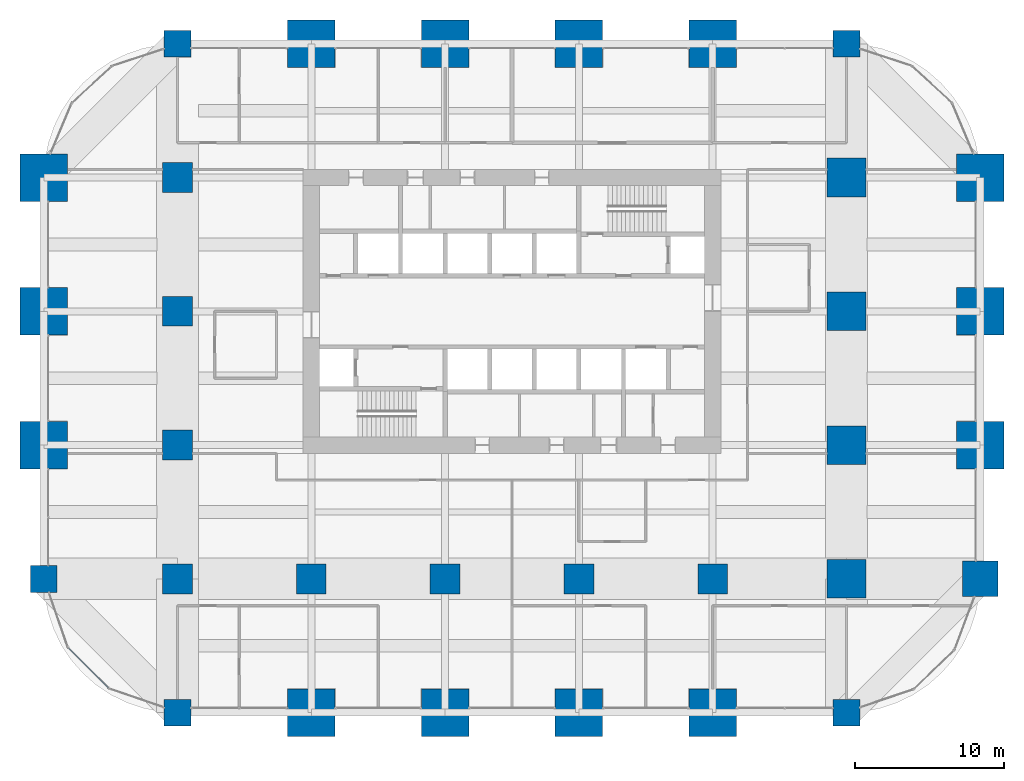
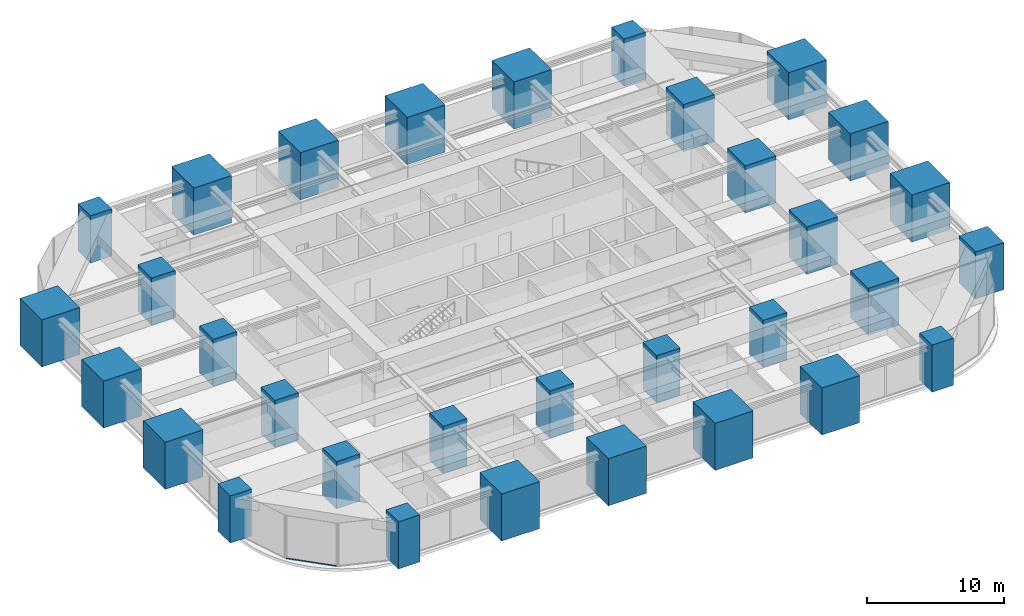
# One storey, part 1 of 45: 32 columns, 1 member, 1 element without a shape of its own.
"""IFC4 building model written with IfcOpenShell, lengths in metres."""

from ifc_helpers import new_model, si_unit, direction, frame, origin, origin_2d, place, context, subcontext, project, spatial, rectangle, hollow_rectangle, extrude, material, material_profile, profile_set, type_object, element, aggregate, save


model = new_model("IFC4")

# Units and contexts
model_context = context("Model", 3, precision=1e-05, world=origin(), true_north=direction((0.0, 1.0)))
body_context = subcontext(model_context, "Body", "Model", "MODEL_VIEW")
ifc_project = project(units=[si_unit("LENGTHUNIT", "METRE"), si_unit("AREAUNIT", "SQUARE_METRE"), si_unit("VOLUMEUNIT", "CUBIC_METRE"), si_unit("PLANEANGLEUNIT", "RADIAN"), si_unit("MASSUNIT", "GRAM", prefix="KILO")], contexts=[model_context])

# Site, building, storey
site_placement = place(None, origin())
site = spatial("IfcSite", under=ifc_project, at=site_placement, CompositionType="ELEMENT")
building_placement = place(site_placement, origin())
building = spatial("IfcBuilding", under=site, at=building_placement, Name="Zorevar Civic Tower", CompositionType="ELEMENT")
storey_placement = place(building_placement, frame((0.0, 0.0, 153.0)))
storey = spatial("IfcBuildingStorey", under=building, at=storey_placement, Name="L37", CompositionType="ELEMENT", Elevation=153.0)

# Columns
ifc_material_1 = material(Name="Concrete C50/60", Category="concrete")
ifc_material_profile_1 = material_profile(ifc_material_1, rectangle(XDim=1.800048828125, YDim=1.800048828125, at=origin_2d()), Name="RC 1800x1800")
ifc_profile_set_1 = profile_set([ifc_material_profile_1], Name="Concrete C50/60")
column_type_1 = type_object("IfcColumnType", Name="Column RC 1800x1800", PredefinedType="COLUMN", material=ifc_profile_set_1)
for number, where, z_axis, x_axis, name in (
    (1, (0.0, 9.0, 0.0), (0.0, 0.0, 1.0), (1.0, 0.0, 0.0), "Column 2B L37"),
    (2, (9.0, 0.0, 0.0), (0.0, 0.0, 1.0), (1.0, 0.0, 0.0), "Column 3A L37"),
    (3, (9.0, 45.0, 0.0), (0.0, 0.0, 1.0), (1.0, 0.0, 0.0), "Column 3F L37"),
    (4, (54.0, 0.0, 0.0), (0.0, 0.0, 1.0), (1.0, 0.0, 0.0), "Column 8A L37"),
    (5, (54.0, 45.0, 0.0), (0.0, 0.0, 1.0), (1.0, 0.0, 0.0), "Column 8F L37"),
):
    element("IfcColumn", number, at=place(storey_placement, frame(where, z_axis=z_axis, x_axis=x_axis)), inside=storey, type_object=column_type_1, Name=name, PredefinedType="COLUMN", context=body_context, shape_type="SweptSolid", body=[
        extrude(rectangle(XDim=1.800048828125, YDim=1.800048828125, at=origin_2d()), origin(), (0.0, 0.0, 1.0), 4.199951171875),
    ])
ifc_material_2 = material(Name="Concrete C50/60", Category="concrete")
ifc_material_profile_2 = material_profile(ifc_material_2, rectangle(XDim=2.0, YDim=2.0, at=origin_2d()), Name="RC 2000x2000")
ifc_profile_set_2 = profile_set([ifc_material_profile_2], Name="Concrete C50/60")
column_type_2 = type_object("IfcColumnType", Name="Column RC 2000x2000", PredefinedType="COLUMN", material=ifc_profile_set_2)
for number, where, z_axis, x_axis, name in (
    (6, (9.0, 9.0, 0.0), (0.0, 0.0, 1.0), (1.0, 0.0, 0.0), "Column 3B L37"),
    (7, (9.0, 18.0, 0.0), (0.0, 0.0, 1.0), (1.0, 0.0, 0.0), "Column 3C L37"),
    (8, (9.0, 27.0, 0.0), (0.0, 0.0, 1.0), (1.0, 0.0, 0.0), "Column 3D L37"),
    (9, (9.0, 36.0, 0.0), (0.0, 0.0, 1.0), (1.0, 0.0, 0.0), "Column 3E L37"),
    (10, (18.0, 9.0, 0.0), (0.0, 0.0, 1.0), (1.0, 0.0, 0.0), "Column 4B L37"),
    (11, (27.0, 9.0, 0.0), (0.0, 0.0, 1.0), (1.0, 0.0, 0.0), "Column 5B L37"),
    (12, (36.0, 9.0, 0.0), (0.0, 0.0, 1.0), (1.0, 0.0, 0.0), "Column 6B L37"),
    (13, (45.0, 9.0, 0.0), (0.0, 0.0, 1.0), (1.0, 0.0, 0.0), "Column 7B L37"),
):
    element("IfcColumn", number, at=place(storey_placement, frame(where, z_axis=z_axis, x_axis=x_axis)), inside=storey, type_object=column_type_2, Name=name, PredefinedType="COLUMN", context=body_context, shape_type="SweptSolid", body=[
        extrude(rectangle(XDim=2.0, YDim=2.0, at=origin_2d()), origin(), (0.0, 0.0, 1.0), 4.199951171875),
    ])
ifc_material_3 = material(Name="Concrete C50/60", Category="concrete")
ifc_material_profile_3 = material_profile(ifc_material_3, rectangle(XDim=2.39990234375, YDim=2.39990234375, at=origin_2d()), Name="RC 2400x2400")
ifc_profile_set_3 = profile_set([ifc_material_profile_3], Name="Concrete C50/60")
column_type_3 = type_object("IfcColumnType", Name="Column RC 2400x2400", PredefinedType="COLUMN", material=ifc_profile_set_3)
column_placement = place(storey_placement, frame((63.0, 9.0, 0.0), z_axis=(0.0, 0.0, 1.0), x_axis=(1.0, 0.0, 0.0)))
element("IfcColumn", 14, at=column_placement, inside=storey, type_object=column_type_3, Name="Column 9B L37", PredefinedType="COLUMN", context=body_context, shape_type="SweptSolid", body=[
    extrude(rectangle(XDim=2.39990234375, YDim=2.39990234375, at=origin_2d()), origin(), (0.0, 0.0, 1.0), 4.199951171875),
])
ifc_material_4 = material(Name="Concrete C50/60", Category="concrete")
ifc_material_profile_4 = material_profile(ifc_material_4, rectangle(XDim=2.60009765625, YDim=2.60009765625, at=origin_2d()), Name="RC 2600x2600")
ifc_profile_set_4 = profile_set([ifc_material_profile_4], Name="Concrete C50/60")
column_type_4 = type_object("IfcColumnType", Name="Column RC 2600x2600", PredefinedType="COLUMN", material=ifc_profile_set_4)
for number, where, z_axis, x_axis, name in (
    (15, (54.0, 9.0, 0.0), (0.0, 0.0, 1.0), (1.0, 0.0, 0.0), "Column 8B L37"),
    (16, (54.0, 18.0, 0.0), (0.0, 0.0, 1.0), (1.0, 0.0, 0.0), "Column 8C L37"),
    (17, (54.0, 27.0, 0.0), (0.0, 0.0, 1.0), (1.0, 0.0, 0.0), "Column 8D L37"),
    (18, (54.0, 36.0, 0.0), (0.0, 0.0, 1.0), (1.0, 0.0, 0.0), "Column 8E L37"),
):
    element("IfcColumn", number, at=place(storey_placement, frame(where, z_axis=z_axis, x_axis=x_axis)), inside=storey, type_object=column_type_4, Name=name, PredefinedType="COLUMN", context=body_context, shape_type="SweptSolid", body=[
        extrude(rectangle(XDim=2.60009765625, YDim=2.60009765625, at=origin_2d()), origin(), (0.0, 0.0, 1.0), 4.199951171875),
    ])
ifc_material_5 = material(Name="Concrete C50/60", Category="concrete")
ifc_material_profile_5 = material_profile(ifc_material_5, rectangle(XDim=3.199951171875, YDim=3.199951171875, at=origin_2d()), Name="RC 3200x3200")
ifc_profile_set_5 = profile_set([ifc_material_profile_5], Name="Concrete C50/60")
column_type_5 = type_object("IfcColumnType", Name="Mega column RC 3200x3200", PredefinedType="COLUMN", material=ifc_profile_set_5)
for number, where, z_axis, x_axis, name in (
    (19, (0.0, 18.0, 0.0), (0.0, 0.0, 1.0), (1.0, 0.0, 0.0), "Column 2C L37"),
    (20, (0.0, 27.0, 0.0), (0.0, 0.0, 1.0), (1.0, 0.0, 0.0), "Column 2D L37"),
    (21, (0.0, 36.0, 0.0), (0.0, 0.0, 1.0), (1.0, 0.0, 0.0), "Column 2E L37"),
    (22, (18.0, 0.0, 0.0), (0.0, 0.0, 1.0), (1.0, 0.0, 0.0), "Column 4A L37"),
    (23, (18.0, 45.0, 0.0), (0.0, 0.0, 1.0), (1.0, 0.0, 0.0), "Column 4F L37"),
    (24, (27.0, 0.0, 0.0), (0.0, 0.0, 1.0), (1.0, 0.0, 0.0), "Column 5A L37"),
    (25, (27.0, 45.0, 0.0), (0.0, 0.0, 1.0), (1.0, 0.0, 0.0), "Column 5F L37"),
    (26, (36.0, 0.0, 0.0), (0.0, 0.0, 1.0), (1.0, 0.0, 0.0), "Column 6A L37"),
    (27, (36.0, 45.0, 0.0), (0.0, 0.0, 1.0), (1.0, 0.0, 0.0), "Column 6F L37"),
    (28, (45.0, 0.0, 0.0), (0.0, 0.0, 1.0), (1.0, 0.0, 0.0), "Column 7A L37"),
    (29, (45.0, 45.0, 0.0), (0.0, 0.0, 1.0), (1.0, 0.0, 0.0), "Column 7F L37"),
    (30, (63.0, 18.0, 0.0), (0.0, 0.0, 1.0), (1.0, 0.0, 0.0), "Column 9C L37"),
    (31, (63.0, 27.0, 0.0), (0.0, 0.0, 1.0), (1.0, 0.0, 0.0), "Column 9D L37"),
    (32, (63.0, 36.0, 0.0), (0.0, 0.0, 1.0), (1.0, 0.0, 0.0), "Column 9E L37"),
):
    element("IfcColumn", number, at=place(storey_placement, frame(where, z_axis=z_axis, x_axis=x_axis)), inside=storey, type_object=column_type_5, Name=name, PredefinedType="COLUMN", context=body_context, shape_type="SweptSolid", body=[
        extrude(rectangle(XDim=3.199951171875, YDim=3.199951171875, at=origin_2d()), origin(), (0.0, 0.0, 1.0), 4.199951171875),
    ])

# Curtain wall, member
ifc_material_6 = material(Name="Dark grey solar-control glass in black aluminium frame", Category="aluminium")
curtain_wall_type = type_object("IfcCurtainWallType", Name="Curtain wall CW3 mid zone", PredefinedType="NOTDEFINED", material=ifc_material_6)
curtain_wall_placement = place(storey_placement, origin())
curtain_wall = element("IfcCurtainWall", 33, at=curtain_wall_placement, inside=storey, type_object=curtain_wall_type, Name="CW3 L37", PredefinedType="NOTDEFINED")
ifc_material_7 = material(Name="Aluminium, black anodised", Category="aluminium")
ifc_material_profile_6 = material_profile(ifc_material_7, hollow_rectangle(XDim=0.06005859375, YDim=0.1201171875, WallThickness=0.0029296875, at=origin_2d()), Name="AL 120x60x3")
ifc_profile_set_6 = profile_set([ifc_material_profile_6], Name="Aluminium, black anodised")
member_type = type_object("IfcMemberType", Name="CW3 transom AL 120x60x3", PredefinedType="USERDEFINED", material=ifc_profile_set_6)
member_placement = place(storey_placement, frame((1.662841796875, 4.349853515625, 0.030029296875), z_axis=(0.707106781187, -0.707106781187, 0.0), x_axis=(0.707106781187, 0.707106781187, 0.0)))
member = element("IfcMember", 34, at=member_placement, type_object=member_type, Name="CW3 sill transom", ObjectType="TRANSOM", PredefinedType="USERDEFINED", context=body_context, shape_type="SweptSolid", body=[
    extrude(hollow_rectangle(XDim=0.06005859375, YDim=0.1201171875, WallThickness=0.0029296875, at=origin_2d()), origin(), (0.0, 0.0, 1.0), 3.800048828125),
])
aggregate(curtain_wall, [member])

save(model, "model.ifc")
